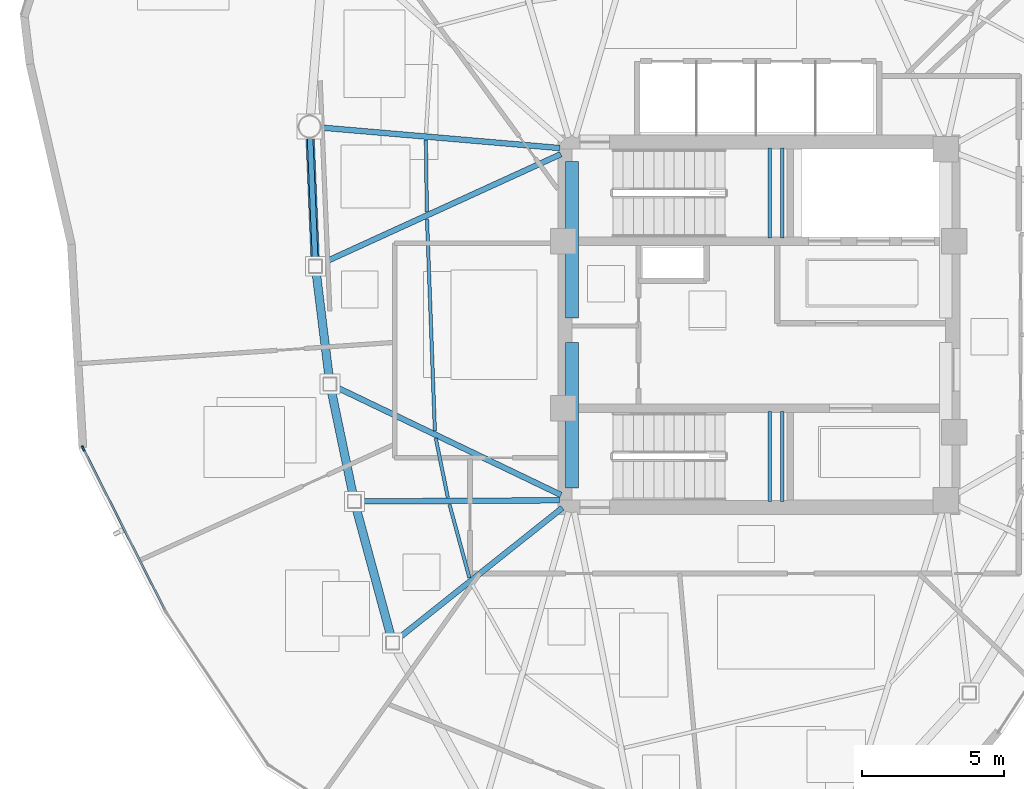
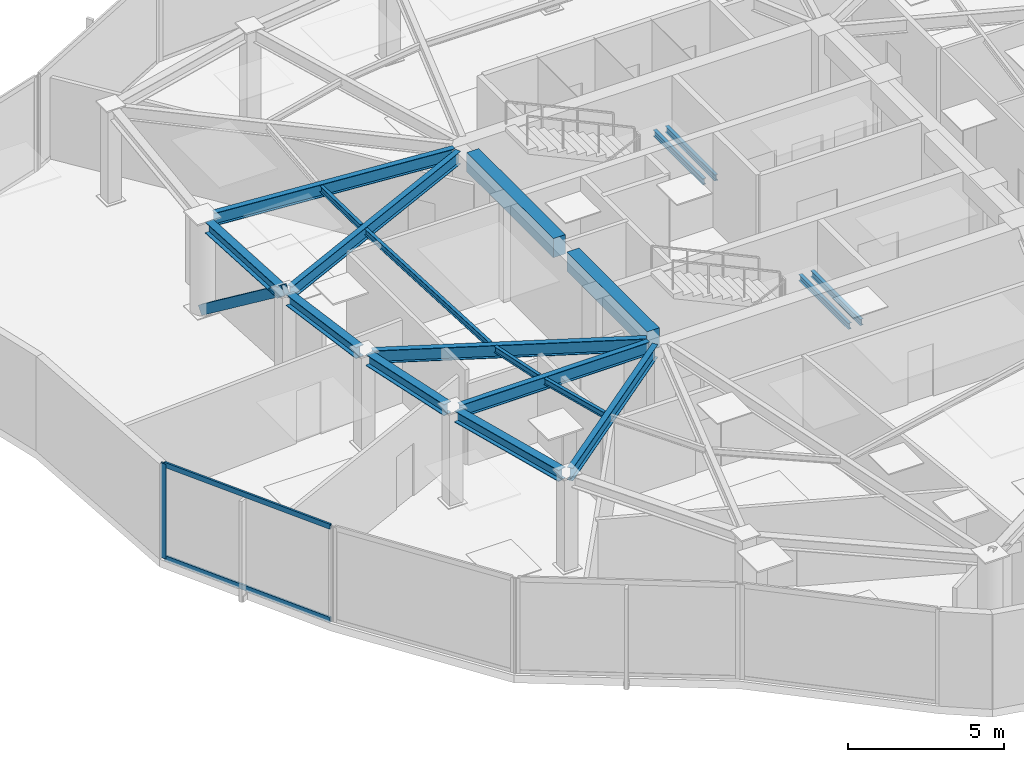
# One storey, part 3 of 13: 19 beams, 4 members, 1 element without a shape of its own.
"""IFC4 building model written with IfcOpenShell, lengths in metres."""

from ifc_helpers import new_model, si_unit, direction, frame, origin, origin_2d, place, context, subcontext, project, spatial, rectangle, hollow_rectangle, i_section, extrude, source, transform, mapped, material, layer, layer_set, material_profile, profile_set, type_object, type_shapes, element, aggregate, save


model = new_model("IFC4")

# Units and contexts
model_context = context("Model", 3, precision=1e-05, world=origin(), true_north=direction((0.0, 1.0)))
body_context = subcontext(model_context, "Body", "Model", "MODEL_VIEW")
ifc_project = project(units=[si_unit("LENGTHUNIT", "METRE"), si_unit("AREAUNIT", "SQUARE_METRE"), si_unit("VOLUMEUNIT", "CUBIC_METRE"), si_unit("PLANEANGLEUNIT", "RADIAN"), si_unit("MASSUNIT", "GRAM", prefix="KILO")], contexts=[model_context])

# Site, building, storey
site_placement = place(None, origin())
site = spatial("IfcSite", under=ifc_project, at=site_placement, CompositionType="ELEMENT")
building_placement = place(site_placement, origin())
building = spatial("IfcBuilding", under=site, at=building_placement, Name="Tavelor Broadcast Tower", CompositionType="ELEMENT")
storey_placement = place(building_placement, frame((0.0, 0.0, 297.5)))
storey = spatial("IfcBuildingStorey", under=building, at=storey_placement, Name="L71", CompositionType="ELEMENT", Elevation=297.5)

# Beams
ifc_material_1 = material(Name="Concrete C40/50", Category="concrete")
ifc_material_profile_1 = material_profile(ifc_material_1, rectangle(XDim=0.449951171875, YDim=0.75, at=origin_2d()), Name="RC 450x750")
ifc_profile_set_1 = profile_set([ifc_material_profile_1], Name="Concrete C40/50")
beam_type_1 = type_object("IfcBeamType", Name="Basement Core Trim Beam 450x750", PredefinedType="BEAM", material=ifc_profile_set_1)
beam_1_placement = place(storey_placement, frame((43.39990234375, 45.23193359375, 3.324951171875), z_axis=(0.0, 1.0, 0.0), x_axis=(-1.0, 0.0, 0.0)))
element("IfcBeam", 1, at=beam_1_placement, inside=storey, type_object=beam_type_1, Name="L71 Core West-N Tie Girder", PredefinedType="BEAM", context=body_context, shape_type="SweptSolid", body=[
    extrude(rectangle(XDim=0.449951171875, YDim=0.75, at=origin_2d()), origin(), (0.0, 0.0, 1.0), 5.5361328125),
])
beam_2_placement = place(storey_placement, frame((43.39990234375, 39.23193359375, 3.324951171875), z_axis=(0.0, 1.0, 0.0), x_axis=(-1.0, 0.0, 0.0)))
element("IfcBeam", 2, at=beam_2_placement, inside=storey, type_object=beam_type_1, Name="L71 Core West-S Tie Girder", PredefinedType="BEAM", context=body_context, shape_type="SweptSolid", body=[
    extrude(rectangle(XDim=0.449951171875, YDim=0.75, at=origin_2d()), origin(), (0.0, 0.0, 1.0), 5.135986328125),
])
ifc_material_2 = material(Name="Steel S355", Category="steel")
ifc_material_profile_2 = material_profile(ifc_material_2, i_section(OverallWidth=0.1201171875, OverallDepth=0.239990234375, WebThickness=0.006103515625, FlangeThickness=0.009765625, at=origin_2d()), Name="IPE 240")
ifc_profile_set_2 = profile_set([ifc_material_profile_2], Name="Steel S355")
beam_type_2 = type_object("IfcBeamType", Name="Composite Floor Joist T7 IPE 240", PredefinedType="JOIST", material=ifc_profile_set_2)
beam_3_placement = place(storey_placement, frame((38.241455078125, 51.514404296875, 3.580078125), z_axis=(0.013238113163, -0.999912372341, 0.0), x_axis=(0.999912372341, 0.013238113163, 0.0)))
element("IfcBeam", 3, at=beam_3_placement, inside=storey, type_object=beam_type_2, Name="L71 Secondary Composite Floor Joist 01", PredefinedType="JOIST", context=body_context, shape_type="SweptSolid", body=[
    extrude(i_section(OverallWidth=0.1201171875, OverallDepth=0.239990234375, WebThickness=0.006103515625, FlangeThickness=0.009765625, at=origin_2d()), origin(), (0.0, 0.0, 1.0), 2.526611328125),
])
beam_4_placement = place(storey_placement, frame((38.281494140625, 48.730224609375, 3.580078125), z_axis=(0.037116611217, -0.999310941185, 0.0), x_axis=(0.999310941185, 0.037116611217, 0.0)))
element("IfcBeam", 4, at=beam_4_placement, inside=storey, type_object=beam_type_2, Name="L71 Secondary Composite Floor Joist 02", PredefinedType="JOIST", context=body_context, shape_type="SweptSolid", body=[
    extrude(i_section(OverallWidth=0.1201171875, OverallDepth=0.239990234375, WebThickness=0.006103515625, FlangeThickness=0.009765625, at=origin_2d()), origin(), (0.0, 0.0, 1.0), 7.4853515625),
])
beam_5_placement = place(storey_placement, frame((38.58984375, 40.99462890625, 3.580078125), z_axis=(0.199500807381, -0.979897661929, 0.0), x_axis=(0.979897661929, 0.199500807381, 0.0)))
element("IfcBeam", 5, at=beam_5_placement, inside=storey, type_object=beam_type_2, Name="L71 Secondary Composite Floor Joist 03", PredefinedType="JOIST", context=body_context, shape_type="SweptSolid", body=[
    extrude(i_section(OverallWidth=0.1201171875, OverallDepth=0.239990234375, WebThickness=0.006103515625, FlangeThickness=0.009765625, at=origin_2d()), origin(), (0.0, 0.0, 1.0), 2.135498046875),
])
beam_6_placement = place(storey_placement, frame((39.075439453125, 38.651123046875, 3.580078125), z_axis=(0.261967616798, -0.965076664182, 0.0), x_axis=(0.965076664182, 0.261967616798, 0.0)))
element("IfcBeam", 6, at=beam_6_placement, inside=storey, type_object=beam_type_2, Name="L71 Secondary Composite Floor Joist 04", PredefinedType="JOIST", context=body_context, shape_type="SweptSolid", body=[
    extrude(i_section(OverallWidth=0.1201171875, OverallDepth=0.239990234375, WebThickness=0.006103515625, FlangeThickness=0.009765625, at=origin_2d()), origin(), (0.0, 0.0, 1.0), 2.677490234375),
])
ifc_material_profile_3 = material_profile(ifc_material_2, i_section(OverallWidth=0.300048828125, OverallDepth=0.43994140625, WebThickness=0.011474609375, FlangeThickness=0.02099609375, at=origin_2d()), Name="HEA 450")
ifc_profile_set_3 = profile_set([ifc_material_profile_3], Name="Steel S355")
beam_type_3 = type_object("IfcBeamType", Name="Perimeter Spandrel Beam T7 HEA 450", PredefinedType="SPANDREL", material=ifc_profile_set_3)
beam_7_placement = place(storey_placement, frame((34.151123046875, 51.60595703125, 3.47998046875), z_axis=(0.041873296911, -0.999122928876, 0.0), x_axis=(0.999122928876, 0.041873296911, 0.0)))
element("IfcBeam", 7, at=beam_7_placement, inside=storey, type_object=beam_type_3, Name="L71 Framed-Tube Ring Spandrel 01", PredefinedType="SPANDREL", context=body_context, shape_type="SweptSolid", body=[
    extrude(i_section(OverallWidth=0.300048828125, OverallDepth=0.43994140625, WebThickness=0.011474609375, FlangeThickness=0.02099609375, at=origin_2d()), origin(), (0.0, 0.0, 1.0), 4.30859375),
])
beam_8_placement = place(storey_placement, frame((34.370849609375, 46.822998046875, 3.47998046875), z_axis=(0.122301764237, -0.992492961418, 0.0), x_axis=(0.992492961418, 0.122301764237, 0.0)))
element("IfcBeam", 8, at=beam_8_placement, inside=storey, type_object=beam_type_3, Name="L71 Framed-Tube Ring Spandrel 02", PredefinedType="SPANDREL", context=body_context, shape_type="SweptSolid", body=[
    extrude(i_section(OverallWidth=0.300048828125, OverallDepth=0.43994140625, WebThickness=0.011474609375, FlangeThickness=0.02099609375, at=origin_2d()), origin(), (0.0, 0.0, 1.0), 3.7109375),
])
beam_9_placement = place(storey_placement, frame((34.903076171875, 42.666748046875, 3.47998046875), z_axis=(0.203665911817, -0.979040446746, 0.0), x_axis=(0.979040446746, 0.203665911817, 0.0)))
element("IfcBeam", 9, at=beam_9_placement, inside=storey, type_object=beam_type_3, Name="L71 Framed-Tube Ring Spandrel 03", PredefinedType="SPANDREL", context=body_context, shape_type="SweptSolid", body=[
    extrude(i_section(OverallWidth=0.300048828125, OverallDepth=0.43994140625, WebThickness=0.011474609375, FlangeThickness=0.02099609375, at=origin_2d()), origin(), (0.0, 0.0, 1.0), 3.753173828125),
])
beam_10_placement = place(storey_placement, frame((35.779296875, 38.525390625, 3.47998046875), z_axis=(0.261032085305, -0.965330125108, 0.0), x_axis=(0.965330125108, 0.261032085305, 0.0)))
element("IfcBeam", 10, at=beam_10_placement, inside=storey, type_object=beam_type_3, Name="L71 Framed-Tube Ring Spandrel 04", PredefinedType="SPANDREL", context=body_context, shape_type="SweptSolid", body=[
    extrude(i_section(OverallWidth=0.300048828125, OverallDepth=0.43994140625, WebThickness=0.011474609375, FlangeThickness=0.02099609375, at=origin_2d()), origin(), (0.0, 0.0, 1.0), 4.697021484375),
])

# Member
ifc_material_profile_4 = material_profile(ifc_material_2, hollow_rectangle(XDim=0.199951171875, YDim=0.35009765625, WallThickness=0.01611328125, at=origin_2d()), Name="RHS 350x200x16")
ifc_profile_set_4 = profile_set([ifc_material_profile_4], Name="Steel S355")
member_type_1 = type_object("IfcMemberType", Name="Perimeter Tube Brace T7 RHS 350x200x16", PredefinedType="BRACE", material=ifc_profile_set_4)
member_1_placement = place(storey_placement, frame((34.134765625, 51.995849609375, 0.0), z_axis=(0.033508994779, -0.799626685339, 0.599561766095), x_axis=(0.999123106787, 0.041869051625, 0.0)))
element("IfcMember", 11, at=member_1_placement, inside=storey, type_object=member_type_1, Name="L71 Corner Tube Diagonal Brace 1", PredefinedType="BRACE", context=body_context, shape_type="SweptSolid", body=[
    extrude(hollow_rectangle(XDim=0.199951171875, YDim=0.35009765625, WallThickness=0.01611328125, at=origin_2d()), origin(), (0.0, 0.0, 1.0), 6.171142578125),
])

# Beams
ifc_material_profile_5 = material_profile(ifc_material_2, i_section(OverallWidth=0.199951171875, OverallDepth=0.5, WebThickness=0.01025390625, FlangeThickness=0.01611328125, at=origin_2d()), Name="IPE 500")
ifc_profile_set_5 = profile_set([ifc_material_profile_5], Name="Steel S355")
beam_type_4 = type_object("IfcBeamType", Name="Radial Floor Girder T7 IPE 500", PredefinedType="BEAM", material=ifc_profile_set_5)
beam_11_placement = place(storey_placement, frame((42.969482421875, 51.237060546875, 3.449951171875), z_axis=(-0.996332421592, 0.085566966079, 0.0), x_axis=(-0.085566966079, -0.996332421592, 0.0)))
element("IfcBeam", 12, at=beam_11_placement, inside=storey, type_object=beam_type_4, Name="L71 Radial Primary Floor Girder 01", PredefinedType="BEAM", context=body_context, shape_type="SweptSolid", body=[
    extrude(i_section(OverallWidth=0.199951171875, OverallDepth=0.5, WebThickness=0.01025390625, FlangeThickness=0.01611328125, at=origin_2d()), origin(), (0.0, 0.0, 1.0), 8.476806640625),
])
beam_12_placement = place(storey_placement, frame((43.007080078125, 51.0205078125, 3.449951171875), z_axis=(-0.909555398284, -0.415582696285, 0.0), x_axis=(0.415582696285, -0.909555398284, 0.0)))
element("IfcBeam", 13, at=beam_12_placement, inside=storey, type_object=beam_type_4, Name="L71 Radial Primary Floor Girder 02", PredefinedType="BEAM", context=body_context, shape_type="SweptSolid", body=[
    extrude(i_section(OverallWidth=0.199951171875, OverallDepth=0.5, WebThickness=0.01025390625, FlangeThickness=0.01611328125, at=origin_2d()), origin(), (0.0, 0.0, 1.0), 9.287353515625),
])
beam_13_placement = place(storey_placement, frame((43.010498046875, 38.98681640625, 3.449951171875), z_axis=(-0.901529113374, 0.432718450888, 0.0), x_axis=(-0.432718450888, -0.901529113374, 0.0)))
element("IfcBeam", 14, at=beam_13_placement, inside=storey, type_object=beam_type_4, Name="L71 Radial Primary Floor Girder 03", PredefinedType="BEAM", context=body_context, shape_type="SweptSolid", body=[
    extrude(i_section(OverallWidth=0.199951171875, OverallDepth=0.5, WebThickness=0.01025390625, FlangeThickness=0.01611328125, at=origin_2d()), origin(), (0.0, 0.0, 1.0), 8.80712890625),
])
beam_14_placement = place(storey_placement, frame((42.968017578125, 38.797607421875, 3.449951171875), z_axis=(-0.999984286501, -0.005605956688, 0.0), x_axis=(0.005605956688, -0.999984286501, 0.0)))
element("IfcBeam", 15, at=beam_14_placement, inside=storey, type_object=beam_type_4, Name="L71 Radial Primary Floor Girder 04", PredefinedType="BEAM", context=body_context, shape_type="SweptSolid", body=[
    extrude(i_section(OverallWidth=0.199951171875, OverallDepth=0.5, WebThickness=0.01025390625, FlangeThickness=0.01611328125, at=origin_2d()), origin(), (0.0, 0.0, 1.0), 7.011474609375),
])
beam_15_placement = place(storey_placement, frame((43.06201171875, 38.531005859375, 3.449951171875), z_axis=(-0.782384634469, -0.622795539279, 0.0), x_axis=(0.622795539279, -0.782384634469, 0.0)))
element("IfcBeam", 16, at=beam_15_placement, inside=storey, type_object=beam_type_4, Name="L71 Radial Primary Floor Girder 05", PredefinedType="BEAM", context=body_context, shape_type="SweptSolid", body=[
    extrude(i_section(OverallWidth=0.199951171875, OverallDepth=0.5, WebThickness=0.01025390625, FlangeThickness=0.01611328125, at=origin_2d()), origin(), (0.0, 0.0, 1.0), 7.421142578125),
])
ifc_material_profile_6 = material_profile(ifc_material_2, i_section(OverallWidth=0.1201171875, OverallDepth=0.239990234375, WebThickness=0.006103515625, FlangeThickness=0.009765625, at=origin_2d()), Name="IPE 240")
ifc_profile_set_6 = profile_set([ifc_material_profile_6], Name="Steel S355")
beam_type_5 = type_object("IfcBeamType", Name="Stairwell Landing Support Trimmer Beam IPE240", PredefinedType="BEAM", material=ifc_profile_set_6)
for number, where, z_axis, x_axis, name in (
    (17, (50.385009765625, 48.06005859375, 1.68505859375), (0.0, 1.0, 0.0), (-1.0, 0.0, 0.0), "L71 Stair Landing Support Beam 183"),
    (18, (50.824951171875, 48.06005859375, 1.68505859375), (0.0, 1.0, 0.0), (-1.0, 0.0, 0.0), "L71 Stair Landing Support Beam 184"),
    (19, (50.385009765625, 38.760009765625, 1.68505859375), (0.0, 1.0, 0.0), (-1.0, 0.0, 0.0), "L71 Stair Landing Support Beam 397"),
    (20, (50.824951171875, 38.760009765625, 1.68505859375), (0.0, 1.0, 0.0), (-1.0, 0.0, 0.0), "L71 Stair Landing Support Beam 398"),
):
    element("IfcBeam", number, at=place(storey_placement, frame(where, z_axis=z_axis, x_axis=x_axis)), inside=storey, type_object=beam_type_5, Name=name, PredefinedType="BEAM", context=body_context, shape_type="SweptSolid", body=[
        extrude(i_section(OverallWidth=0.1201171875, OverallDepth=0.239990234375, WebThickness=0.006103515625, FlangeThickness=0.009765625, at=origin_2d()), origin(), (0.0, 0.0, 1.0), 3.179931640625),
    ])

# Curtain wall, members
ifc_material_3 = material(Name="Architectural Anodized Aluminium", Category="aluminium")
ifc_layer = layer(ifc_material_3, 0.199951171875)
ifc_layer_set = layer_set([ifc_layer], Name="Architectural Anodized Aluminium")
curtain_wall_type = type_object("IfcCurtainWallType", Name="Tower High-Zone Triple-Glazed Curtain Wall CW04", PredefinedType="NOTDEFINED", material=ifc_layer_set)
curtain_wall_placement = place(storey_placement, origin())
curtain_wall = element("IfcCurtainWall", 21, at=curtain_wall_placement, inside=storey, type_object=curtain_wall_type, Name="L71 Curtain Wall CW04 Run 781", PredefinedType="NOTDEFINED")
ifc_material_profile_7 = material_profile(ifc_material_3, hollow_rectangle(XDim=0.070068359375, YDim=0.199951171875, WallThickness=0.02197265625, at=origin_2d()), Name="RHS 70x200x22")
ifc_profile_set_7 = profile_set([ifc_material_profile_7], Name="Architectural Anodized Aluminium")
member_type_2 = type_object("IfcMemberType", Name="CW04 Extruded Aluminium Mullion 70x200", PredefinedType="MULLION", material=ifc_profile_set_7)
shared_shape_1 = source(origin(), body_context, "Body", "SweptSolid", [
    extrude(hollow_rectangle(XDim=0.070068359375, YDim=0.199951171875, WallThickness=0.02197265625, at=origin_2d()), origin(), (0.0, 0.0, 1.0), 3.699951171875),
])
type_shapes(member_type_2, [shared_shape_1])
member_2_placement = place(storey_placement, frame((26.14013671875, 40.627685546875, 0.0), z_axis=(0.0, 0.0, 1.0), x_axis=(0.892389728375, 0.45126552349, 0.0)))
member_2 = element("IfcMember", 22, at=member_2_placement, type_object=member_type_2, Name="CW04 mullion 1", PredefinedType="MULLION", context=body_context, shape_type="MappedRepresentation", body=[
    mapped(shared_shape_1, transform((0.0, 0.0, 0.0), scale=1.0)),
])
ifc_material_profile_8 = material_profile(ifc_material_3, hollow_rectangle(XDim=0.070068359375, YDim=0.199951171875, WallThickness=0.02197265625, at=origin_2d()), Name="RHS 70x200x22")
ifc_profile_set_8 = profile_set([ifc_material_profile_8], Name="Architectural Anodized Aluminium")
member_type_3 = type_object("IfcMemberType", Name="CW04 Extruded Aluminium Transom 70x200", PredefinedType="USERDEFINED", material=ifc_profile_set_8)
shared_shape_2 = source(origin(), body_context, "Body", "SweptSolid", [
    extrude(hollow_rectangle(XDim=0.070068359375, YDim=0.199951171875, WallThickness=0.02197265625, at=origin_2d()), origin(), (0.0, 0.0, 1.0), 6.33837890625),
])
type_shapes(member_type_3, [shared_shape_2])
member_3_placement = place(storey_placement, frame((26.156005859375, 40.596435546875, 0.034912109375), z_axis=(0.451230282926, -0.892407548024, 0.0), x_axis=(0.892407548024, 0.451230282926, 0.0)))
member_3 = element("IfcMember", 23, at=member_3_placement, type_object=member_type_3, Name="CW04 transom 1.1", ObjectType="TRANSOM", PredefinedType="USERDEFINED", context=body_context, shape_type="MappedRepresentation", body=[
    mapped(shared_shape_2, transform((0.0, 0.0, 0.0), scale=1.0)),
])
member_4_placement = place(storey_placement, frame((26.156005859375, 40.596435546875, 3.6650390625), z_axis=(0.451230282926, -0.892407548024, 0.0), x_axis=(0.892407548024, 0.451230282926, 0.0)))
member_4 = element("IfcMember", 24, at=member_4_placement, type_object=member_type_3, Name="CW04 transom 1.2", ObjectType="TRANSOM", PredefinedType="USERDEFINED", context=body_context, shape_type="MappedRepresentation", body=[
    mapped(shared_shape_2, transform((0.0, 0.0, 0.0), scale=1.0)),
])
aggregate(curtain_wall, [member_2, member_3, member_4])

save(model, "model.ifc")
